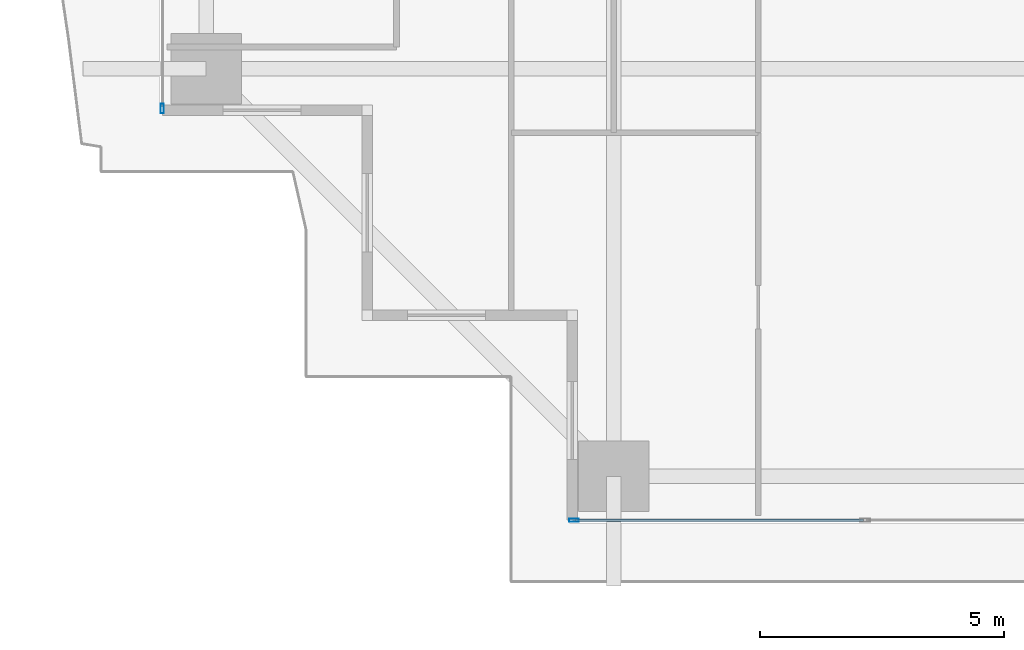
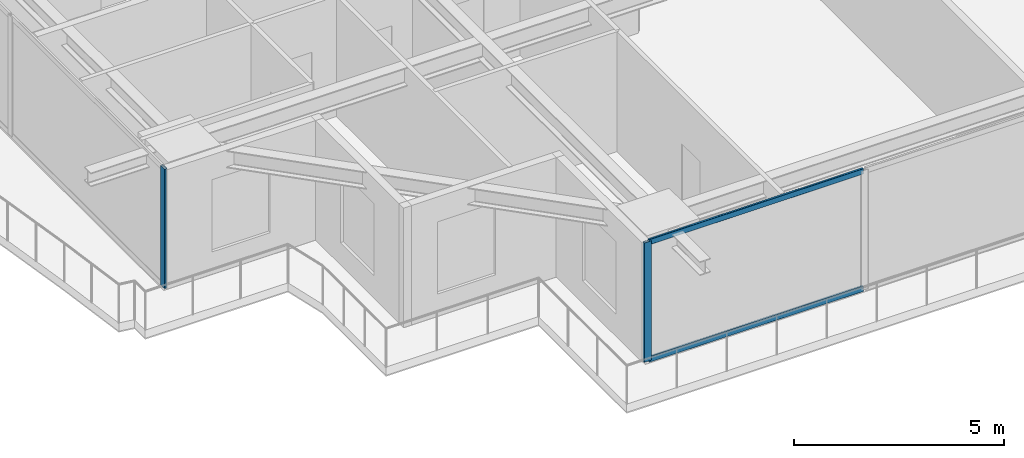
# One storey, part 2 of 35: 4 members, 2 elements without a shape of their own.
"""IFC4 building model written with IfcOpenShell, lengths in metres."""

from ifc_helpers import new_model, si_unit, direction, frame, origin, origin_2d, place, context, subcontext, project, spatial, hollow_rectangle, extrude, source, transform, mapped, material, layer, layer_set, material_profile, profile_set, type_object, element, aggregate, save


model = new_model("IFC4")

# Units and contexts
model_context = context("Model", 3, precision=1e-05, world=origin(), true_north=direction((0.0, 1.0)))
body_context = subcontext(model_context, "Body", "Model", "MODEL_VIEW")
ifc_project = project(units=[si_unit("LENGTHUNIT", "METRE"), si_unit("AREAUNIT", "SQUARE_METRE"), si_unit("VOLUMEUNIT", "CUBIC_METRE"), si_unit("PLANEANGLEUNIT", "RADIAN"), si_unit("MASSUNIT", "GRAM", prefix="KILO")], contexts=[model_context])

# Site, building, storey
site_placement = place(None, origin())
site = spatial("IfcSite", under=ifc_project, at=site_placement, CompositionType="ELEMENT")
building_placement = place(site_placement, origin())
building = spatial("IfcBuilding", under=site, at=building_placement, Name="Serunith Strait Residences", CompositionType="ELEMENT")
storey_placement = place(building_placement, frame((0.0, 0.0, 71.699951171875)))
storey = spatial("IfcBuildingStorey", under=building, at=storey_placement, Name="L17", CompositionType="ELEMENT", Elevation=71.699951171875)

# Curtain wall, member
ifc_material = material(Name="Pale-Champagne Anodised Aluminium", Category="aluminium")
ifc_layer = layer(ifc_material, 0.199951171875, Name="Pale-Champagne Anodised Aluminium")
ifc_layer_set = layer_set([ifc_layer], Name="Pale-Champagne Anodised Aluminium")
curtain_wall_type = type_object("IfcCurtainWallType", Name="CW-SYS1", PredefinedType="NOTDEFINED", material=ifc_layer_set)
curtain_wall_1_placement = place(storey_placement, origin())
curtain_wall_1 = element("IfcCurtainWall", 1, at=curtain_wall_1_placement, inside=storey, type_object=curtain_wall_type, Name="L17 S Unitised Fritted Curtain Wall", PredefinedType="NOTDEFINED")
ifc_material_profile_1 = material_profile(ifc_material, hollow_rectangle(XDim=0.070068359375, YDim=0.199951171875, WallThickness=0.00390625, InnerFilletRadius=0.006103515625, OuterFilletRadius=0.010009765625, at=origin_2d()), Name="ALU 200x70x4")
ifc_profile_set_1 = profile_set([ifc_material_profile_1], Name="Pale-Champagne Anodised Aluminium")
member_type_1 = type_object("IfcMemberType", Name="CW-SYS1-MULL", PredefinedType="MULLION", material=ifc_profile_set_1)
shared_shape_1 = source(origin(), body_context, "Body", "SweptSolid", [
    extrude(hollow_rectangle(XDim=0.070068359375, YDim=0.199951171875, WallThickness=0.00390625, InnerFilletRadius=0.006103515625, OuterFilletRadius=0.010009765625, at=origin_2d()), origin(), (0.0, 0.0, 1.0), 3.47509765625),
])
member_1_placement = place(storey_placement, frame((14.43505859375, 0.199951171875, 0.0), z_axis=(0.0, 0.0, 1.0), x_axis=(0.0, 1.0, 0.0)))
member_1 = element("IfcMember", 2, at=member_1_placement, type_object=member_type_1, Name="CW-1 mullion 1", PredefinedType="MULLION", context=body_context, shape_type="MappedRepresentation", body=[
    mapped(shared_shape_1, transform((0.0, 0.0, 0.0), scale=1.0)),
])

curtain_wall_2_placement = place(storey_placement, origin())
curtain_wall_2 = element("IfcCurtainWall", 3, at=curtain_wall_2_placement, inside=storey, type_object=curtain_wall_type, Name="L17 W Unitised Fritted Curtain Wall", PredefinedType="NOTDEFINED")
member_2_placement = place(storey_placement, frame((6.0, 8.635009765625, 0.0), z_axis=(0.0, 0.0, 1.0), x_axis=(1.0, 0.0, 0.0)))
member_2 = element("IfcMember", 4, at=member_2_placement, type_object=member_type_1, Name="CW-1 mullion 4", PredefinedType="MULLION", context=body_context, shape_type="MappedRepresentation", body=[
    mapped(shared_shape_1, transform((0.0, 0.0, 0.0), scale=1.0)),
])
aggregate(curtain_wall_2, [member_2])

# Member
ifc_material_profile_2 = material_profile(ifc_material, hollow_rectangle(XDim=0.06005859375, YDim=0.159912109375, WallThickness=0.00341796875, InnerFilletRadius=0.00537109375, OuterFilletRadius=0.0087890625, at=origin_2d()), Name="ALU 160x60x3.5")
ifc_profile_set_2 = profile_set([ifc_material_profile_2], Name="Pale-Champagne Anodised Aluminium")
member_type_2 = type_object("IfcMemberType", Name="CW-SYS1-TRAN", PredefinedType="USERDEFINED", material=ifc_profile_set_2)
shared_shape_2 = source(origin(), body_context, "Body", "SweptSolid", [
    extrude(hollow_rectangle(XDim=0.06005859375, YDim=0.159912109375, WallThickness=0.00341796875, InnerFilletRadius=0.00537109375, OuterFilletRadius=0.0087890625, at=origin_2d()), origin(), (0.0, 0.0, 1.0), 5.89501953125),
])
member_3_placement = place(storey_placement, frame((14.469970703125, 0.199951171875, 0.030029296875), z_axis=(1.0, 0.0, 0.0), x_axis=(0.0, 1.0, 0.0)))
member_3 = element("IfcMember", 5, at=member_3_placement, type_object=member_type_2, Name="CW-1 transom 1.1", ObjectType="TRANSOM", PredefinedType="USERDEFINED", context=body_context, shape_type="MappedRepresentation", body=[
    mapped(shared_shape_2, transform((0.0, 0.0, 0.0), scale=1.0)),
])

member_4_placement = place(storey_placement, frame((14.469970703125, 0.199951171875, 3.445068359375), z_axis=(1.0, 0.0, 0.0), x_axis=(0.0, 1.0, 0.0)))
member_4 = element("IfcMember", 6, at=member_4_placement, type_object=member_type_2, Name="CW-1 transom 1.2", ObjectType="TRANSOM", PredefinedType="USERDEFINED", context=body_context, shape_type="MappedRepresentation", body=[
    mapped(shared_shape_2, transform((0.0, 0.0, 0.0), scale=1.0)),
])

aggregate(curtain_wall_1, [member_1, member_3, member_4])

save(model, "model.ifc")
